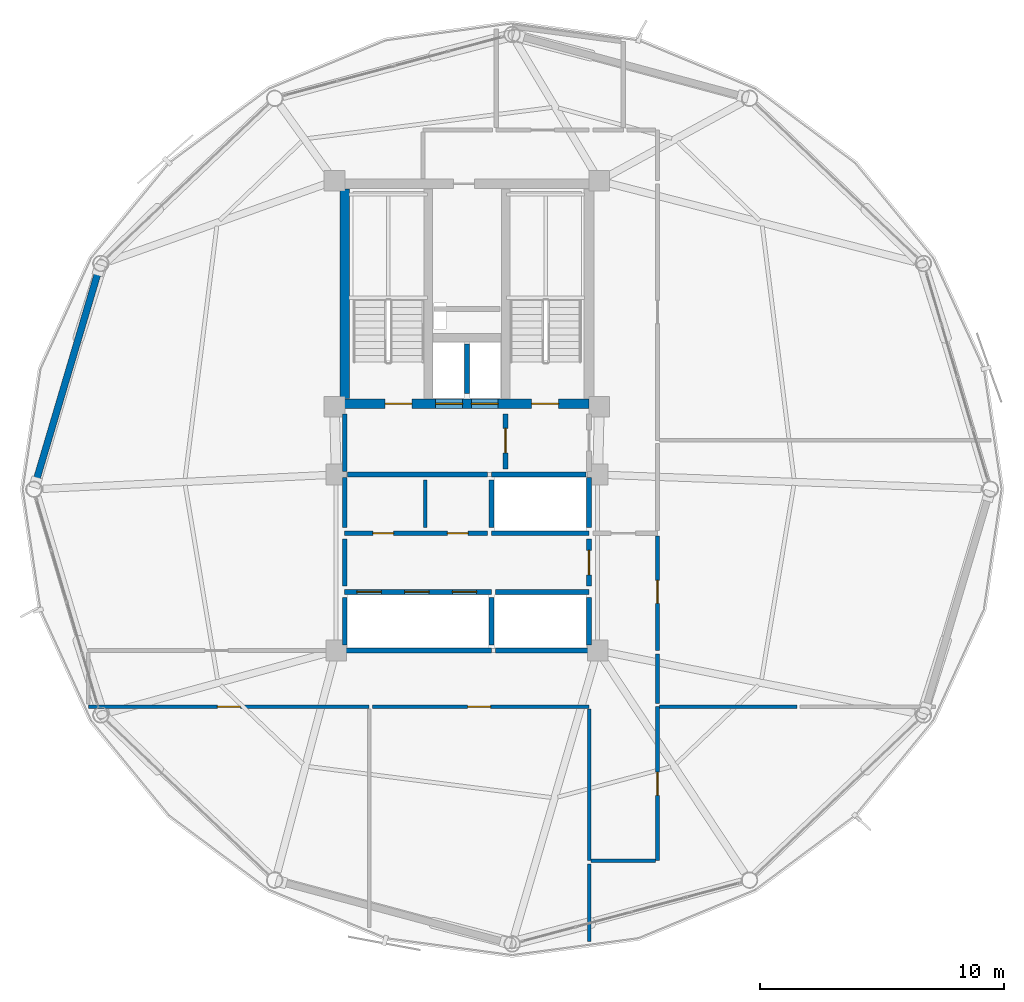
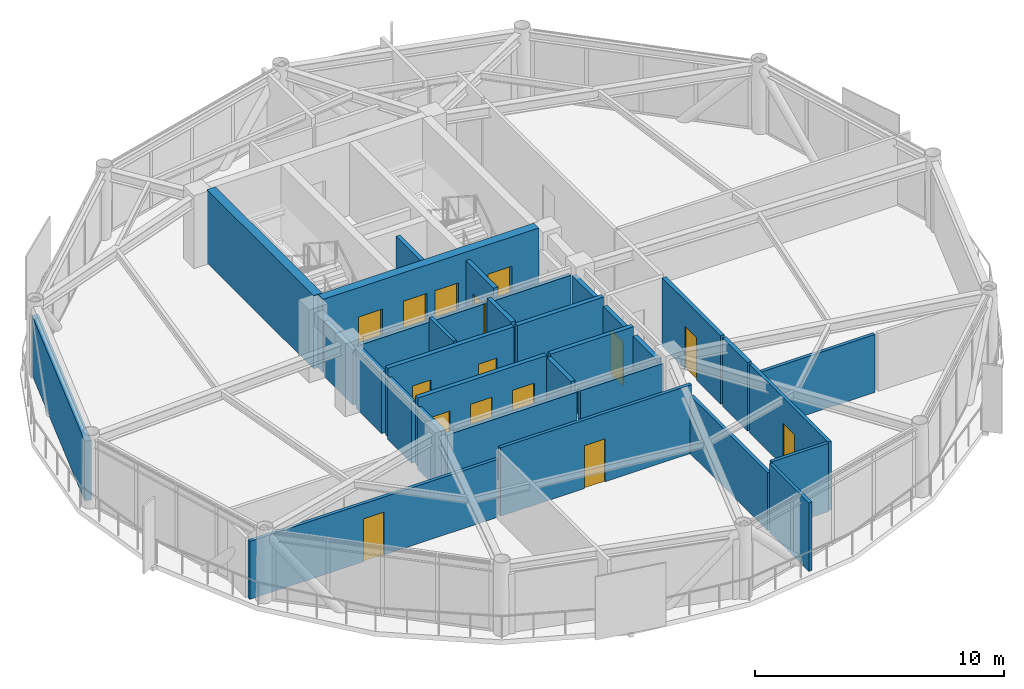
# One storey, part 24 of 29: 32 walls, 15 doors, 15 openings.
"""IFC4 building model written with IfcOpenShell, lengths in metres."""

from ifc_helpers import new_model, si_unit, direction, frame, frame_2d, origin, place, context, subcontext, project, spatial, rectangle, extrude, material, layer, layer_set, type_object, element, fill, save


model = new_model("IFC4")

# Units and contexts
model_context = context("Model", 3, precision=1e-05, world=origin(), true_north=direction((0.0, 1.0)))
body_context = subcontext(model_context, "Body", "Model", "MODEL_VIEW")
ifc_project = project(units=[si_unit("LENGTHUNIT", "METRE"), si_unit("AREAUNIT", "SQUARE_METRE"), si_unit("VOLUMEUNIT", "CUBIC_METRE"), si_unit("PLANEANGLEUNIT", "RADIAN"), si_unit("MASSUNIT", "GRAM", prefix="KILO")], contexts=[model_context])

# Site, building, storey
site_placement = place(None, origin())
site = spatial("IfcSite", under=ifc_project, at=site_placement, CompositionType="ELEMENT")
building_placement = place(site_placement, origin())
building = spatial("IfcBuilding", under=site, at=building_placement, Name="Varnakorn Sky Granary", CompositionType="ELEMENT")
storey_placement = place(building_placement, frame((0.0, 0.0, 189.60009765625)))
storey = spatial("IfcBuildingStorey", under=building, at=storey_placement, Name="L47", CompositionType="ELEMENT", Elevation=189.60009765625)

# Wall, openings, doors
ifc_material_1 = material(Name="Concrete C50/60", Category="concrete")
ifc_layer_1 = layer(ifc_material_1, 0.39990234375, Name="Concrete C50/60")
ifc_layer_set_1 = layer_set([ifc_layer_1], Name="Concrete C50/60")
wall_type_1 = type_object("IfcWallType", Name="WT-CW-SHEAR-400", PredefinedType="SHEAR", material=ifc_layer_set_1)
wall_1_placement = place(storey_placement, frame((-2.0, 3.5, 0.0), z_axis=(0.0, 0.0, 1.0), x_axis=(1.0, 0.0, 0.0)))
wall_1 = element("IfcWall", 1, at=wall_1_placement, inside=storey, type_object=wall_type_1, Name="Core South Shear Wall L47", PredefinedType="SHEAR", context=body_context, shape_type="SweptSolid", body=[
    extrude(rectangle(XDim=10.0, YDim=0.39990234375, at=frame_2d((5.0, 0.0))), origin(), (0.0, 0.0, 1.0), 3.591796875),
])
opening_1_placement = place(wall_1_placement, frame((1.64990234375, 0.0, 0.0)))
opening_1 = element("IfcOpeningElement", 2, at=opening_1_placement, cuts=wall_1, Name="Opening FD-90", PredefinedType="OPENING", context=body_context, shape_type="SweptSolid", body=[
    extrude(rectangle(XDim=1.10009765625, YDim=2.14990234375, at=frame_2d((0.550048828125, 1.074951171875))), frame((0.0, 0.2099609375, 0.0), z_axis=(0.0, -1.0, 0.0), x_axis=(1.0, 0.0, 0.0)), (0.0, 0.0, 1.0), 0.419921875),
])
opening_2_placement = place(wall_1_placement, frame((7.64990234375, 0.0, 0.0)))
opening_2 = element("IfcOpeningElement", 3, at=opening_2_placement, cuts=wall_1, Name="Opening FD-90", PredefinedType="OPENING", context=body_context, shape_type="SweptSolid", body=[
    extrude(rectangle(XDim=1.10009765625, YDim=2.14990234375, at=frame_2d((0.550048828125, 1.074951171875))), frame((0.0, 0.2099609375, 0.0), z_axis=(0.0, -1.0, 0.0), x_axis=(1.0, 0.0, 0.0)), (0.0, 0.0, 1.0), 0.419921875),
])
opening_3_placement = place(wall_1_placement, frame((3.719970703125, 0.0, 0.0)))
opening_3 = element("IfcOpeningElement", 4, at=opening_3_placement, cuts=wall_1, Name="Opening LD-01", PredefinedType="OPENING", context=body_context, shape_type="SweptSolid", body=[
    extrude(rectangle(XDim=1.10009765625, YDim=2.199951171875, at=frame_2d((0.550048828125, 1.10009765625))), frame((0.0, 0.2099609375, 0.0), z_axis=(0.0, -1.0, 0.0), x_axis=(1.0, 0.0, 0.0)), (0.0, 0.0, 1.0), 0.419921875),
])
opening_4_placement = place(wall_1_placement, frame((5.179931640625, 0.0, 0.0)))
opening_4 = element("IfcOpeningElement", 5, at=opening_4_placement, cuts=wall_1, Name="Opening LD-01", PredefinedType="OPENING", context=body_context, shape_type="SweptSolid", body=[
    extrude(rectangle(XDim=1.10009765625, YDim=2.199951171875, at=frame_2d((0.550048828125, 1.10009765625))), frame((0.0, 0.2099609375, 0.0), z_axis=(0.0, -1.0, 0.0), x_axis=(1.0, 0.0, 0.0)), (0.0, 0.0, 1.0), 0.419921875),
])
ifc_material_2 = material(Name="Brushed Bronze Stainless Steel", Category="steel")
door_type_1 = type_object("IfcDoorType", Name="DR-LD-1100", OperationType="DOUBLE_DOOR_SLIDING", PredefinedType="DOOR", material=ifc_material_2)
door_1_placement = place(opening_3_placement, origin())
door_1 = element("IfcDoor", 6, at=door_1_placement, inside=storey, type_object=door_type_1, Name="Firefighting Lift FFL-1 Landing Door L47", OperationType="DOUBLE_DOOR_SLIDING", OverallHeight=2.199951171875, OverallWidth=1.10009765625, PredefinedType="DOOR", context=body_context, shape_type="SweptSolid", body=[
    extrude(rectangle(XDim=1.10009765625, YDim=2.199951171875, at=frame_2d((0.550048828125, 1.10009765625))), frame((0.0, 0.02490234375, 0.0), z_axis=(0.0, -1.0, 0.0), x_axis=(1.0, 0.0, 0.0)), (0.0, 0.0, 1.0), 0.050048828125),
])
fill(opening_3, door_1)
door_2_placement = place(opening_4_placement, origin())
door_2 = element("IfcDoor", 7, at=door_2_placement, inside=storey, type_object=door_type_1, Name="Firefighting Lift FFL-2 Landing Door L47", OperationType="DOUBLE_DOOR_SLIDING", OverallHeight=2.199951171875, OverallWidth=1.10009765625, PredefinedType="DOOR", context=body_context, shape_type="SweptSolid", body=[
    extrude(rectangle(XDim=1.10009765625, YDim=2.199951171875, at=frame_2d((0.550048828125, 1.10009765625))), frame((0.0, 0.02490234375, 0.0), z_axis=(0.0, -1.0, 0.0), x_axis=(1.0, 0.0, 0.0)), (0.0, 0.0, 1.0), 0.050048828125),
])
fill(opening_4, door_2)
ifc_material_3 = material(Name="Galvanised Painted Steel Leaf", Category="steel")
door_type_2 = type_object("IfcDoorType", Name="DR-STAIR-1100", OperationType="NOTDEFINED", PredefinedType="DOOR", material=ifc_material_3)
door_3_placement = place(opening_1_placement, origin())
door_3 = element("IfcDoor", 8, at=door_3_placement, inside=storey, type_object=door_type_2, Name="Stair ST-1 Protected Fire Door L47", OperationType="SINGLE_SWING_LEFT", OverallHeight=2.14990234375, OverallWidth=1.10009765625, PredefinedType="DOOR", context=body_context, shape_type="SweptSolid", body=[
    extrude(rectangle(XDim=1.10009765625, YDim=2.14990234375, at=frame_2d((0.550048828125, 1.074951171875))), frame((0.0, 0.02490234375, 0.0), z_axis=(0.0, -1.0, 0.0), x_axis=(1.0, 0.0, 0.0)), (0.0, 0.0, 1.0), 0.050048828125),
])
fill(opening_1, door_3)
door_4_placement = place(opening_2_placement, origin())
door_4 = element("IfcDoor", 9, at=door_4_placement, inside=storey, type_object=door_type_2, Name="Stair ST-2 Protected Fire Door L47", OperationType="SINGLE_SWING_RIGHT", OverallHeight=2.14990234375, OverallWidth=1.10009765625, PredefinedType="DOOR", context=body_context, shape_type="SweptSolid", body=[
    extrude(rectangle(XDim=1.10009765625, YDim=2.14990234375, at=frame_2d((0.550048828125, 1.074951171875))), frame((0.0, 0.02490234375, 0.0), z_axis=(0.0, -1.0, 0.0), x_axis=(1.0, 0.0, 0.0)), (0.0, 0.0, 1.0), 0.050048828125),
])
fill(opening_2, door_4)

# Walls
wall_2_placement = place(storey_placement, frame((-2.0, 3.7099609375, 0.0), z_axis=(0.0, 0.0, 1.0), x_axis=(0.0, 1.0, 0.0)))
element("IfcWall", 10, at=wall_2_placement, inside=storey, type_object=wall_type_1, Name="Core West Shear Wall L47", PredefinedType="SHEAR", context=body_context, shape_type="SweptSolid", body=[
    extrude(rectangle(XDim=8.580078125, YDim=0.39990234375, at=frame_2d((4.2900390625, 0.0))), origin(), (0.0, 0.0, 1.0), 3.591796875),
])
ifc_material_4 = material(Name="Precast concrete C40/50", Category="concrete")
ifc_layer_2 = layer(ifc_material_4, 0.280029296875, Name="Precast concrete C40/50")
ifc_layer_set_2 = layer_set([ifc_layer_2], Name="Precast concrete C40/50")
wall_type_2 = type_object("IfcWallType", Name="WT-EW-CRN-280", PredefinedType="SOLIDWALL", material=ifc_layer_set_2)
wall_3_placement = place(storey_placement, frame((-14.64794921875, 0.273193359375, 0.0), z_axis=(0.0, 0.0, 1.0), x_axis=(0.2842909157, 0.958738063942, 0.0)))
element("IfcWall", 11, at=wall_3_placement, inside=storey, type_object=wall_type_2, Name="Agritech Insulated Precast Facade Wall L47-P06", PredefinedType="SOLIDWALL", context=body_context, shape_type="SweptSolid", body=[
    extrude(rectangle(XDim=9.06787109375, YDim=0.280029296875, at=frame_2d((4.533935546875, 0.0))), origin(), (0.0, 0.0, 1.0), 2.929931640625),
])

# Wall, opening, door
ifc_material_5 = material(Name="Autoclaved Aerated Concrete Blockwork", Category="masonry")
ifc_layer_3 = layer(ifc_material_5, 0.199951171875, Name="Autoclaved Aerated Concrete Blockwork")
ifc_layer_set_3 = layer_set([ifc_layer_3], Name="Autoclaved Aerated Concrete Blockwork")
wall_type_3 = type_object("IfcWallType", Name="WT-FIRE-200", PredefinedType="MOVABLE", material=ifc_layer_set_3)
wall_4_placement = place(storey_placement, frame((4.580078125, 0.830078125, 0.0), z_axis=(0.0, 0.0, 1.0), x_axis=(0.0, 1.0, 0.0)))
wall_4 = element("IfcWall", 12, at=wall_4_placement, inside=storey, type_object=wall_type_3, Name="Interior Partition Wall L47-014", PredefinedType="MOVABLE", context=body_context, shape_type="SweptSolid", body=[
    extrude(rectangle(XDim=2.239990234375, YDim=0.199951171875, at=frame_2d((1.1201171875, 0.0))), origin(), (0.0, 0.0, 1.0), 3.35986328125),
])
opening_5_placement = place(wall_4_placement, frame((0.659912109375, 0.0, 0.0)))
opening_5 = element("IfcOpeningElement", 13, at=opening_5_placement, cuts=wall_4, Name="Opening FD-60", PredefinedType="OPENING", context=body_context, shape_type="SweptSolid", body=[
    extrude(rectangle(XDim=1.0, YDim=2.10009765625, at=frame_2d((0.5, 1.050048828125))), frame((0.0, 0.10986328125, 0.0), z_axis=(0.0, -1.0, 0.0), x_axis=(1.0, 0.0, 0.0)), (0.0, 0.0, 1.0), 0.219970703125),
])
ifc_material_6 = material(Name="Acoustic Timber Fire Leaf", Category="wood")
door_type_3 = type_object("IfcDoorType", Name="DR-FD60-1000", OperationType="NOTDEFINED", PredefinedType="DOOR", material=ifc_material_6)
door_5_placement = place(opening_5_placement, origin())
door_5 = element("IfcDoor", 14, at=door_5_placement, inside=storey, type_object=door_type_3, Name="Interior Door L47-014-1", OperationType="SINGLE_SWING_RIGHT", OverallHeight=2.10009765625, OverallWidth=1.0, PredefinedType="DOOR", context=body_context, shape_type="SweptSolid", body=[
    extrude(rectangle(XDim=1.0, YDim=2.10009765625, at=frame_2d((0.5, 1.050048828125))), frame((0.0, 0.02490234375, 0.0), z_axis=(0.0, -1.0, 0.0), x_axis=(1.0, 0.0, 0.0)), (0.0, 0.0, 1.0), 0.050048828125),
])
fill(opening_5, door_5)

wall_5_placement = place(storey_placement, frame((8.0, -3.969970703125, 0.0), z_axis=(0.0, 0.0, 1.0), x_axis=(0.0, 1.0, 0.0)))
wall_5 = element("IfcWall", 15, at=wall_5_placement, inside=storey, type_object=wall_type_3, Name="Interior Partition Wall L47-016", PredefinedType="MOVABLE", context=body_context, shape_type="SweptSolid", body=[
    extrude(rectangle(XDim=1.93994140625, YDim=0.199951171875, at=frame_2d((0.969970703125, 0.0))), origin(), (0.0, 0.0, 1.0), 3.011962890625),
])
opening_6_placement = place(wall_5_placement, frame((0.469970703125, 0.0, 0.0)))
opening_6 = element("IfcOpeningElement", 16, at=opening_6_placement, cuts=wall_5, Name="Opening FD-60", PredefinedType="OPENING", context=body_context, shape_type="SweptSolid", body=[
    extrude(rectangle(XDim=1.0, YDim=2.10009765625, at=frame_2d((0.5, 1.050048828125))), frame((0.0, 0.10986328125, 0.0), z_axis=(0.0, -1.0, 0.0), x_axis=(1.0, 0.0, 0.0)), (0.0, 0.0, 1.0), 0.219970703125),
])
door_6_placement = place(opening_6_placement, origin())
door_6 = element("IfcDoor", 17, at=door_6_placement, inside=storey, type_object=door_type_3, Name="Interior Door L47-016-1", OperationType="SINGLE_SWING_RIGHT", OverallHeight=2.10009765625, OverallWidth=1.0, PredefinedType="DOOR", context=body_context, shape_type="SweptSolid", body=[
    extrude(rectangle(XDim=1.0, YDim=2.10009765625, at=frame_2d((0.5, 1.050048828125))), frame((0.0, 0.02490234375, 0.0), z_axis=(0.0, -1.0, 0.0), x_axis=(1.0, 0.0, 0.0)), (0.0, 0.0, 1.0), 0.050048828125),
])
fill(opening_6, door_6)

# Wall, openings, doors
wall_6_placement = place(storey_placement, frame((-2.0, -1.800048828125, 0.0), z_axis=(0.0, 0.0, 1.0), x_axis=(1.0, 0.0, 0.0)))
wall_6 = element("IfcWall", 18, at=wall_6_placement, inside=storey, type_object=wall_type_3, Name="Interior Partition Wall L47-017", PredefinedType="MOVABLE", context=body_context, shape_type="SweptSolid", body=[
    extrude(rectangle(XDim=5.840087890625, YDim=0.199951171875, at=frame_2d((2.919921875, 0.0))), origin(), (0.0, 0.0, 1.0), 3.35986328125),
])
opening_7_placement = place(wall_6_placement, frame((1.14990234375, 0.0, 0.0)))
opening_7 = element("IfcOpeningElement", 19, at=opening_7_placement, cuts=wall_6, Name="Opening FD-60N", PredefinedType="OPENING", context=body_context, shape_type="SweptSolid", body=[
    extrude(rectangle(XDim=0.85009765625, YDim=2.10009765625, at=frame_2d((0.425048828125, 1.050048828125))), frame((0.0, 0.10986328125, 0.0), z_axis=(0.0, -1.0, 0.0), x_axis=(1.0, 0.0, 0.0)), (0.0, 0.0, 1.0), 0.219970703125),
])
opening_8_placement = place(wall_6_placement, frame((4.199951171875, 0.0, 0.0)))
opening_8 = element("IfcOpeningElement", 20, at=opening_8_placement, cuts=wall_6, Name="Opening FD-60N", PredefinedType="OPENING", context=body_context, shape_type="SweptSolid", body=[
    extrude(rectangle(XDim=0.85009765625, YDim=2.10009765625, at=frame_2d((0.425048828125, 1.050048828125))), frame((0.0, 0.10986328125, 0.0), z_axis=(0.0, -1.0, 0.0), x_axis=(1.0, 0.0, 0.0)), (0.0, 0.0, 1.0), 0.219970703125),
])
door_type_4 = type_object("IfcDoorType", Name="DR-FD60-850", OperationType="NOTDEFINED", PredefinedType="DOOR", material=ifc_material_6)
door_7_placement = place(opening_7_placement, origin())
door_7 = element("IfcDoor", 21, at=door_7_placement, inside=storey, type_object=door_type_4, Name="Interior Door L47-017-1", OperationType="SINGLE_SWING_LEFT", OverallHeight=2.10009765625, OverallWidth=0.85009765625, PredefinedType="DOOR", context=body_context, shape_type="SweptSolid", body=[
    extrude(rectangle(XDim=0.85009765625, YDim=2.10009765625, at=frame_2d((0.425048828125, 1.050048828125))), frame((0.0, 0.02490234375, 0.0), z_axis=(0.0, -1.0, 0.0), x_axis=(1.0, 0.0, 0.0)), (0.0, 0.0, 1.0), 0.050048828125),
])
fill(opening_7, door_7)
door_8_placement = place(opening_8_placement, origin())
door_8 = element("IfcDoor", 22, at=door_8_placement, inside=storey, type_object=door_type_4, Name="Interior Door L47-017-2", OperationType="SINGLE_SWING_RIGHT", OverallHeight=2.10009765625, OverallWidth=0.85009765625, PredefinedType="DOOR", context=body_context, shape_type="SweptSolid", body=[
    extrude(rectangle(XDim=0.85009765625, YDim=2.10009765625, at=frame_2d((0.425048828125, 1.050048828125))), frame((0.0, 0.02490234375, 0.0), z_axis=(0.0, -1.0, 0.0), x_axis=(1.0, 0.0, 0.0)), (0.0, 0.0, 1.0), 0.050048828125),
])
fill(opening_8, door_8)

# Walls
wall_7_placement = place(storey_placement, frame((-1.8798828125, 0.60009765625, 0.0), z_axis=(0.0, 0.0, 1.0), x_axis=(1.0, 0.0, 0.0)))
element("IfcWall", 23, at=wall_7_placement, inside=storey, type_object=wall_type_3, Name="Interior Partition Wall L47-026", PredefinedType="MOVABLE", context=body_context, shape_type="SweptSolid", body=[
    extrude(rectangle(XDim=5.719970703125, YDim=0.199951171875, at=frame_2d((2.85986328125, 0.0))), origin(), (0.0, 0.0, 1.0), 3.011962890625),
])
wall_8_placement = place(storey_placement, frame((-2.0, 0.719970703125, 0.0), z_axis=(0.0, 0.0, 1.0), x_axis=(0.0, 1.0, 0.0)))
element("IfcWall", 24, at=wall_8_placement, inside=storey, type_object=wall_type_3, Name="Interior Partition Wall L47-027", PredefinedType="MOVABLE", context=body_context, shape_type="SweptSolid", body=[
    extrude(rectangle(XDim=2.35009765625, YDim=0.199951171875, at=frame_2d((1.175048828125, 0.0))), origin(), (0.0, 0.0, 1.0), 2.69189453125),
])
wall_9_placement = place(storey_placement, frame((-2.0, -3.969970703125, 0.0), z_axis=(0.0, 0.0, 1.0), x_axis=(0.0, 1.0, 0.0)))
element("IfcWall", 25, at=wall_9_placement, inside=storey, type_object=wall_type_3, Name="Interior Partition Wall L47-028", PredefinedType="MOVABLE", context=body_context, shape_type="SweptSolid", body=[
    extrude(rectangle(XDim=1.93994140625, YDim=0.199951171875, at=frame_2d((0.969970703125, 0.0))), origin(), (0.0, 0.0, 1.0), 3.011962890625),
])
wall_10_placement = place(storey_placement, frame((-2.0, -1.570068359375, 0.0), z_axis=(0.0, 0.0, 1.0), x_axis=(0.0, 1.0, 0.0)))
element("IfcWall", 26, at=wall_10_placement, inside=storey, type_object=wall_type_3, Name="Interior Partition Wall L47-030", PredefinedType="MOVABLE", context=body_context, shape_type="SweptSolid", body=[
    extrude(rectangle(XDim=2.050048828125, YDim=0.199951171875, at=frame_2d((1.02490234375, 0.0))), origin(), (0.0, 0.0, 1.0), 3.011962890625),
])

# Wall, opening, door
ifc_material_7 = material(Name="Gypsum Plasterboard on Steel Stud", Category="steel")
ifc_layer_4 = layer(ifc_material_7, 0.14990234375, Name="Gypsum Plasterboard on Steel Stud")
ifc_layer_set_4 = layer_set([ifc_layer_4], Name="Gypsum Plasterboard on Steel Stud")
wall_type_4 = type_object("IfcWallType", Name="WT-PART-150", PredefinedType="PARTITIONING", material=ifc_layer_set_4)
wall_11_placement = place(storey_placement, frame((-12.48388671875, -8.89990234375, 0.0), z_axis=(0.0, 0.0, 1.0), x_axis=(1.0, 0.0, 0.0)))
wall_11 = element("IfcWall", 27, at=wall_11_placement, inside=storey, type_object=wall_type_4, Name="Interior Partition Wall L47-020", PredefinedType="PARTITIONING", context=body_context, shape_type="SweptSolid", body=[
    extrude(rectangle(XDim=11.48388671875, YDim=0.14990234375, at=frame_2d((5.741943359375, 0.0))), origin(), (0.0, 0.0, 1.0), 2.841796875),
])
opening_9_placement = place(wall_11_placement, frame((5.26708984375, 0.0, 0.0)))
opening_9 = element("IfcOpeningElement", 28, at=opening_9_placement, cuts=wall_11, Name="Opening ID-95", PredefinedType="OPENING", context=body_context, shape_type="SweptSolid", body=[
    extrude(rectangle(XDim=0.949951171875, YDim=2.10009765625, at=frame_2d((0.47509765625, 1.050048828125))), frame((0.0, 0.0849609375, 0.0), z_axis=(0.0, -1.0, 0.0), x_axis=(1.0, 0.0, 0.0)), (0.0, 0.0, 1.0), 0.169921875),
])
ifc_material_8 = material(Name="Solid-Core Teak Veneer Leaf", Category="timber")
door_type_5 = type_object("IfcDoorType", Name="DR-INT-950", OperationType="NOTDEFINED", PredefinedType="DOOR", material=ifc_material_8)
door_9_placement = place(opening_9_placement, origin())
door_9 = element("IfcDoor", 29, at=door_9_placement, inside=storey, type_object=door_type_5, Name="Interior Door L47-020-1", OperationType="SINGLE_SWING_LEFT", OverallHeight=2.10009765625, OverallWidth=0.949951171875, PredefinedType="DOOR", context=body_context, shape_type="SweptSolid", body=[
    extrude(rectangle(XDim=0.949951171875, YDim=2.10009765625, at=frame_2d((0.47509765625, 1.050048828125))), frame((0.0, 0.02490234375, 0.0), z_axis=(0.0, -1.0, 0.0), x_axis=(1.0, 0.0, 0.0)), (0.0, 0.0, 1.0), 0.050048828125),
])
fill(opening_9, door_9)

wall_12_placement = place(storey_placement, frame((-0.864990234375, -8.89990234375, 0.0), z_axis=(0.0, 0.0, 1.0), x_axis=(1.0, 0.0, 0.0)))
wall_12 = element("IfcWall", 30, at=wall_12_placement, inside=storey, type_object=wall_type_4, Name="Interior Partition Wall L47-021", PredefinedType="PARTITIONING", context=body_context, shape_type="SweptSolid", body=[
    extrude(rectangle(XDim=8.864990234375, YDim=0.14990234375, at=frame_2d((4.4326171875, 0.0))), origin(), (0.0, 0.0, 1.0), 3.35986328125),
])
opening_10_placement = place(wall_12_placement, frame((3.889892578125, 0.0, 0.0)))
opening_10 = element("IfcOpeningElement", 31, at=opening_10_placement, cuts=wall_12, Name="Opening ID-95", PredefinedType="OPENING", context=body_context, shape_type="SweptSolid", body=[
    extrude(rectangle(XDim=0.949951171875, YDim=2.10009765625, at=frame_2d((0.47509765625, 1.050048828125))), frame((0.0, 0.0849609375, 0.0), z_axis=(0.0, -1.0, 0.0), x_axis=(1.0, 0.0, 0.0)), (0.0, 0.0, 1.0), 0.169921875),
])
door_10_placement = place(opening_10_placement, origin())
door_10 = element("IfcDoor", 32, at=door_10_placement, inside=storey, type_object=door_type_5, Name="Interior Door L47-021-1", OperationType="SINGLE_SWING_RIGHT", OverallHeight=2.10009765625, OverallWidth=0.949951171875, PredefinedType="DOOR", context=body_context, shape_type="SweptSolid", body=[
    extrude(rectangle(XDim=0.949951171875, YDim=2.10009765625, at=frame_2d((0.47509765625, 1.050048828125))), frame((0.0, 0.02490234375, 0.0), z_axis=(0.0, -1.0, 0.0), x_axis=(1.0, 0.0, 0.0)), (0.0, 0.0, 1.0), 0.050048828125),
])
fill(opening_10, door_10)

wall_13_placement = place(storey_placement, frame((10.800048828125, -15.199951171875, 0.0), z_axis=(0.0, 0.0, 1.0), x_axis=(0.0, 1.0, 0.0)))
wall_13 = element("IfcWall", 33, at=wall_13_placement, inside=storey, type_object=wall_type_4, Name="Interior Partition Wall L47-022", PredefinedType="PARTITIONING", context=body_context, shape_type="SweptSolid", body=[
    extrude(rectangle(XDim=6.300048828125, YDim=0.14990234375, at=frame_2d((3.14990234375, 0.0))), origin(), (0.0, 0.0, 1.0), 3.35986328125),
])
opening_11_placement = place(wall_13_placement, frame((2.675048828125, 0.0, 0.0)))
opening_11 = element("IfcOpeningElement", 34, at=opening_11_placement, cuts=wall_13, Name="Opening ID-95", PredefinedType="OPENING", context=body_context, shape_type="SweptSolid", body=[
    extrude(rectangle(XDim=0.949951171875, YDim=2.10009765625, at=frame_2d((0.47509765625, 1.050048828125))), frame((0.0, 0.0849609375, 0.0), z_axis=(0.0, -1.0, 0.0), x_axis=(1.0, 0.0, 0.0)), (0.0, 0.0, 1.0), 0.169921875),
])
door_11_placement = place(opening_11_placement, origin())
door_11 = element("IfcDoor", 35, at=door_11_placement, inside=storey, type_object=door_type_5, Name="Interior Door L47-022-1", OperationType="SINGLE_SWING_LEFT", OverallHeight=2.10009765625, OverallWidth=0.949951171875, PredefinedType="DOOR", context=body_context, shape_type="SweptSolid", body=[
    extrude(rectangle(XDim=0.949951171875, YDim=2.10009765625, at=frame_2d((0.47509765625, 1.050048828125))), frame((0.0, 0.02490234375, 0.0), z_axis=(0.0, -1.0, 0.0), x_axis=(1.0, 0.0, 0.0)), (0.0, 0.0, 1.0), 0.050048828125),
])
fill(opening_11, door_11)

# Walls
wall_14_placement = place(storey_placement, frame((1.300048828125, -1.570068359375, 0.0), z_axis=(0.0, 0.0, 1.0), x_axis=(0.0, 1.0, 0.0)))
element("IfcWall", 36, at=wall_14_placement, inside=storey, type_object=wall_type_4, Name="Interior Partition Wall L47-029", PredefinedType="PARTITIONING", context=body_context, shape_type="SweptSolid", body=[
    extrude(rectangle(XDim=1.940185546875, YDim=0.14990234375, at=frame_2d((0.97021484375, 0.0))), origin(), (0.0, 0.0, 1.0), 3.35986328125),
])
wall_15_placement = place(storey_placement, frame((8.0, -8.985107421875, 0.0), z_axis=(0.0, 0.0, 1.0), x_axis=(0.0, -1.0, 0.0)))
element("IfcWall", 37, at=wall_15_placement, inside=storey, type_object=wall_type_4, Name="Interior Partition Wall L47-033", PredefinedType="PARTITIONING", context=body_context, shape_type="SweptSolid", body=[
    extrude(rectangle(XDim=6.21484375, YDim=0.14990234375, at=frame_2d((3.107421875, 0.0))), origin(), (0.0, 0.0, 1.0), 2.841796875),
])
wall_16_placement = place(storey_placement, frame((8.0, -15.3349609375, 0.0), z_axis=(0.0, 0.0, 1.0), x_axis=(0.0, -1.0, 0.0)))
element("IfcWall", 38, at=wall_16_placement, inside=storey, type_object=wall_type_4, Name="Interior Partition Wall L47-034", PredefinedType="PARTITIONING", context=body_context, shape_type="SweptSolid", body=[
    extrude(rectangle(XDim=3.16796875, YDim=0.14990234375, at=frame_2d((1.583984375, 0.0))), origin(), (0.0, 0.0, 1.0), 3.35986328125),
])
wall_17_placement = place(storey_placement, frame((8.0849609375, -15.199951171875, 0.0), z_axis=(0.0, 0.0, 1.0), x_axis=(1.0, 0.0, 0.0)))
element("IfcWall", 39, at=wall_17_placement, inside=storey, type_object=wall_type_4, Name="Interior Partition Wall L47-035", PredefinedType="PARTITIONING", context=body_context, shape_type="SweptSolid", body=[
    extrude(rectangle(XDim=2.630126953125, YDim=0.14990234375, at=frame_2d((1.31494140625, 0.0))), origin(), (0.0, 0.0, 1.0), 3.35986328125),
])
wall_18_placement = place(storey_placement, frame((10.885009765625, -8.89990234375, 0.0), z_axis=(0.0, 0.0, 1.0), x_axis=(1.0, 0.0, 0.0)))
element("IfcWall", 40, at=wall_18_placement, inside=storey, type_object=wall_type_4, Name="Interior Partition Wall L47-036", PredefinedType="PARTITIONING", context=body_context, shape_type="SweptSolid", body=[
    extrude(rectangle(XDim=5.614990234375, YDim=0.14990234375, at=frame_2d((2.8076171875, 0.0))), origin(), (0.0, 0.0, 1.0), 2.841796875),
])

# Wall, opening, door
ifc_material_9 = material(Name="Moisture-Resistant Gypsum on Stud", Category="gypsum")
ifc_layer_5 = layer(ifc_material_9, 0.179931640625, Name="Moisture-Resistant Gypsum on Stud")
ifc_layer_set_5 = layer_set([ifc_layer_5], Name="Moisture-Resistant Gypsum on Stud")
wall_type_5 = type_object("IfcWallType", Name="WT-PLUMB-180", PredefinedType="PLUMBINGWALL", material=ifc_layer_set_5)
wall_19_placement = place(storey_placement, frame((10.800048828125, -6.60009765625, 0.0), z_axis=(0.0, 0.0, 1.0), x_axis=(0.0, 1.0, 0.0)))
wall_19 = element("IfcWall", 41, at=wall_19_placement, inside=storey, type_object=wall_type_5, Name="Interior Partition Wall L47-024", PredefinedType="PLUMBINGWALL", context=body_context, shape_type="SweptSolid", body=[
    extrude(rectangle(XDim=4.690185546875, YDim=0.179931640625, at=frame_2d((2.34521484375, 0.0))), origin(), (0.0, 0.0, 1.0), 3.35986328125),
])
opening_12_placement = place(wall_19_placement, frame((1.925048828125, 0.0, 0.0)))
opening_12 = element("IfcOpeningElement", 42, at=opening_12_placement, cuts=wall_19, Name="Opening ID-95", PredefinedType="OPENING", context=body_context, shape_type="SweptSolid", body=[
    extrude(rectangle(XDim=0.949951171875, YDim=2.10009765625, at=frame_2d((0.47509765625, 1.050048828125))), frame((0.0, 0.10009765625, 0.0), z_axis=(0.0, -1.0, 0.0), x_axis=(1.0, 0.0, 0.0)), (0.0, 0.0, 1.0), 0.199951171875),
])
door_12_placement = place(opening_12_placement, origin())
door_12 = element("IfcDoor", 43, at=door_12_placement, inside=storey, type_object=door_type_5, Name="Interior Door L47-024-1", OperationType="SINGLE_SWING_LEFT", OverallHeight=2.10009765625, OverallWidth=0.949951171875, PredefinedType="DOOR", context=body_context, shape_type="SweptSolid", body=[
    extrude(rectangle(XDim=0.949951171875, YDim=2.10009765625, at=frame_2d((0.47509765625, 1.050048828125))), frame((0.0, 0.02490234375, 0.0), z_axis=(0.0, -1.0, 0.0), x_axis=(1.0, 0.0, 0.0)), (0.0, 0.0, 1.0), 0.050048828125),
])
fill(opening_12, door_12)

# Walls
wall_20_placement = place(storey_placement, frame((10.800048828125, -8.764892578125, 0.0), z_axis=(0.0, 0.0, 1.0), x_axis=(0.0, 1.0, 0.0)))
element("IfcWall", 44, at=wall_20_placement, inside=storey, type_object=wall_type_5, Name="Interior Partition Wall L47-042", PredefinedType="PLUMBINGWALL", context=body_context, shape_type="SweptSolid", body=[
    extrude(rectangle(XDim=2.014892578125, YDim=0.179931640625, at=frame_2d((1.00732421875, 0.0))), origin(), (0.0, 0.0, 1.0), 3.35986328125),
])
ifc_layer_6 = layer(ifc_material_5, 0.199951171875, Name="Autoclaved Aerated Concrete Blockwork")
ifc_layer_set_6 = layer_set([ifc_layer_6], Name="Autoclaved Aerated Concrete Blockwork")
wall_type_6 = type_object("IfcWallType", Name="WT-SHAFT-200", PredefinedType="SOLIDWALL", material=ifc_layer_set_6)
wall_21_placement = place(storey_placement, frame((3.0, 3.919921875, 0.0), z_axis=(0.0, 0.0, 1.0), x_axis=(0.0, 1.0, 0.0)))
element("IfcWall", 45, at=wall_21_placement, inside=storey, type_object=wall_type_6, Name="Interior Partition Wall L47-001", PredefinedType="SOLIDWALL", context=body_context, shape_type="SweptSolid", body=[
    extrude(rectangle(XDim=2.030029296875, YDim=0.199951171875, at=frame_2d((1.01513671875, 0.0))), origin(), (0.0, 0.0, 1.0), 3.35986328125),
])
wall_22_placement = place(storey_placement, frame((4.0, 0.60009765625, 0.0), z_axis=(0.0, 0.0, 1.0), x_axis=(1.0, 0.0, 0.0)))
element("IfcWall", 46, at=wall_22_placement, inside=storey, type_object=wall_type_6, Name="Interior Partition Wall L47-003", PredefinedType="SOLIDWALL", context=body_context, shape_type="SweptSolid", body=[
    extrude(rectangle(XDim=3.8798828125, YDim=0.199951171875, at=frame_2d((1.93994140625, 0.0))), origin(), (0.0, 0.0, 1.0), 3.011962890625),
])
wall_23_placement = place(storey_placement, frame((4.0, -1.800048828125, 0.0), z_axis=(0.0, 0.0, 1.0), x_axis=(1.0, 0.0, 0.0)))
element("IfcWall", 47, at=wall_23_placement, inside=storey, type_object=wall_type_6, Name="Interior Partition Wall L47-004", PredefinedType="SOLIDWALL", context=body_context, shape_type="SweptSolid", body=[
    extrude(rectangle(XDim=4.0, YDim=0.199951171875, at=frame_2d((2.0, 0.0))), origin(), (0.0, 0.0, 1.0), 3.35986328125),
])
wall_24_placement = place(storey_placement, frame((4.0, -1.570068359375, 0.0), z_axis=(0.0, 0.0, 1.0), x_axis=(0.0, 1.0, 0.0)))
element("IfcWall", 48, at=wall_24_placement, inside=storey, type_object=wall_type_6, Name="Interior Partition Wall L47-005", PredefinedType="SOLIDWALL", context=body_context, shape_type="SweptSolid", body=[
    extrude(rectangle(XDim=1.940185546875, YDim=0.199951171875, at=frame_2d((0.97021484375, 0.0))), origin(), (0.0, 0.0, 1.0), 3.35986328125),
])
wall_25_placement = place(storey_placement, frame((8.0, -1.570068359375, 0.0), z_axis=(0.0, 0.0, 1.0), x_axis=(0.0, 1.0, 0.0)))
element("IfcWall", 49, at=wall_25_placement, inside=storey, type_object=wall_type_6, Name="Interior Partition Wall L47-006", PredefinedType="SOLIDWALL", context=body_context, shape_type="SweptSolid", body=[
    extrude(rectangle(XDim=2.050048828125, YDim=0.199951171875, at=frame_2d((1.02490234375, 0.0))), origin(), (0.0, 0.0, 1.0), 3.011962890625),
])

# Wall, openings, doors
wall_26_placement = place(storey_placement, frame((-2.0, -4.199951171875, 0.0), z_axis=(0.0, 0.0, 1.0), x_axis=(1.0, 0.0, 0.0)))
wall_26 = element("IfcWall", 50, at=wall_26_placement, inside=storey, type_object=wall_type_6, Name="Interior Partition Wall L47-007", PredefinedType="SOLIDWALL", context=body_context, shape_type="SweptSolid", body=[
    extrude(rectangle(XDim=6.0, YDim=0.199951171875, at=frame_2d((3.0, 0.0))), origin(), (0.0, 0.0, 1.0), 3.35986328125),
])
opening_13_placement = place(wall_26_placement, frame((0.5, 0.0, 0.0)))
opening_13 = element("IfcOpeningElement", 51, at=opening_13_placement, cuts=wall_26, Name="Opening LD-03", PredefinedType="OPENING", context=body_context, shape_type="SweptSolid", body=[
    extrude(rectangle(XDim=1.0, YDim=2.199951171875, at=frame_2d((0.5, 1.10009765625))), frame((0.0, 0.10986328125, 0.0), z_axis=(0.0, -1.0, 0.0), x_axis=(1.0, 0.0, 0.0)), (0.0, 0.0, 1.0), 0.219970703125),
])
opening_14_placement = place(wall_26_placement, frame((2.449951171875, 0.0, 0.0)))
opening_14 = element("IfcOpeningElement", 52, at=opening_14_placement, cuts=wall_26, Name="Opening LD-03", PredefinedType="OPENING", context=body_context, shape_type="SweptSolid", body=[
    extrude(rectangle(XDim=1.0, YDim=2.199951171875, at=frame_2d((0.5, 1.10009765625))), frame((0.0, 0.10986328125, 0.0), z_axis=(0.0, -1.0, 0.0), x_axis=(1.0, 0.0, 0.0)), (0.0, 0.0, 1.0), 0.219970703125),
])
opening_15_placement = place(wall_26_placement, frame((4.39990234375, 0.0, 0.0)))
opening_15 = element("IfcOpeningElement", 53, at=opening_15_placement, cuts=wall_26, Name="Opening LD-03", PredefinedType="OPENING", context=body_context, shape_type="SweptSolid", body=[
    extrude(rectangle(XDim=1.0, YDim=2.199951171875, at=frame_2d((0.5, 1.10009765625))), frame((0.0, 0.10986328125, 0.0), z_axis=(0.0, -1.0, 0.0), x_axis=(1.0, 0.0, 0.0)), (0.0, 0.0, 1.0), 0.219970703125),
])
door_type_6 = type_object("IfcDoorType", Name="DR-LD-1000", OperationType="DOUBLE_DOOR_SLIDING", PredefinedType="DOOR", material=ifc_material_2)
door_13_placement = place(opening_13_placement, origin())
door_13 = element("IfcDoor", 54, at=door_13_placement, inside=storey, type_object=door_type_6, Name="Passenger Lift PL-M1 Sliding Landing Door L47", OperationType="DOUBLE_DOOR_SLIDING", OverallHeight=2.199951171875, OverallWidth=1.0, PredefinedType="DOOR", context=body_context, shape_type="SweptSolid", body=[
    extrude(rectangle(XDim=1.0, YDim=2.199951171875, at=frame_2d((0.5, 1.10009765625))), frame((0.0, 0.02490234375, 0.0), z_axis=(0.0, -1.0, 0.0), x_axis=(1.0, 0.0, 0.0)), (0.0, 0.0, 1.0), 0.050048828125),
])
fill(opening_13, door_13)
door_14_placement = place(opening_14_placement, origin())
door_14 = element("IfcDoor", 55, at=door_14_placement, inside=storey, type_object=door_type_6, Name="Passenger Lift PL-M2 Sliding Landing Door L47", OperationType="DOUBLE_DOOR_SLIDING", OverallHeight=2.199951171875, OverallWidth=1.0, PredefinedType="DOOR", context=body_context, shape_type="SweptSolid", body=[
    extrude(rectangle(XDim=1.0, YDim=2.199951171875, at=frame_2d((0.5, 1.10009765625))), frame((0.0, 0.02490234375, 0.0), z_axis=(0.0, -1.0, 0.0), x_axis=(1.0, 0.0, 0.0)), (0.0, 0.0, 1.0), 0.050048828125),
])
fill(opening_14, door_14)
door_15_placement = place(opening_15_placement, origin())
door_15 = element("IfcDoor", 56, at=door_15_placement, inside=storey, type_object=door_type_6, Name="Passenger Lift PL-M3 Sliding Landing Door L47", OperationType="DOUBLE_DOOR_SLIDING", OverallHeight=2.199951171875, OverallWidth=1.0, PredefinedType="DOOR", context=body_context, shape_type="SweptSolid", body=[
    extrude(rectangle(XDim=1.0, YDim=2.199951171875, at=frame_2d((0.5, 1.10009765625))), frame((0.0, 0.02490234375, 0.0), z_axis=(0.0, -1.0, 0.0), x_axis=(1.0, 0.0, 0.0)), (0.0, 0.0, 1.0), 0.050048828125),
])
fill(opening_15, door_15)

# Walls
wall_27_placement = place(storey_placement, frame((-2.0, -6.60009765625, 0.0), z_axis=(0.0, 0.0, 1.0), x_axis=(1.0, 0.0, 0.0)))
element("IfcWall", 57, at=wall_27_placement, inside=storey, type_object=wall_type_6, Name="Interior Partition Wall L47-008", PredefinedType="SOLIDWALL", context=body_context, shape_type="SweptSolid", body=[
    extrude(rectangle(XDim=6.0, YDim=0.199951171875, at=frame_2d((3.0, 0.0))), origin(), (0.0, 0.0, 1.0), 3.011962890625),
])
wall_28_placement = place(storey_placement, frame((-2.0, -6.3701171875, 0.0), z_axis=(0.0, 0.0, 1.0), x_axis=(0.0, 1.0, 0.0)))
element("IfcWall", 58, at=wall_28_placement, inside=storey, type_object=wall_type_6, Name="Interior Partition Wall L47-009", PredefinedType="SOLIDWALL", context=body_context, shape_type="SweptSolid", body=[
    extrude(rectangle(XDim=1.940185546875, YDim=0.199951171875, at=frame_2d((0.97021484375, 0.0))), origin(), (0.0, 0.0, 1.0), 3.011962890625),
])
wall_29_placement = place(storey_placement, frame((4.159912109375, -4.199951171875, 0.0), z_axis=(0.0, 0.0, 1.0), x_axis=(1.0, 0.0, 0.0)))
element("IfcWall", 59, at=wall_29_placement, inside=storey, type_object=wall_type_6, Name="Interior Partition Wall L47-010", PredefinedType="SOLIDWALL", context=body_context, shape_type="SweptSolid", body=[
    extrude(rectangle(XDim=3.840087890625, YDim=0.199951171875, at=frame_2d((1.919921875, 0.0))), origin(), (0.0, 0.0, 1.0), 3.35986328125),
])
wall_30_placement = place(storey_placement, frame((4.159912109375, -6.60009765625, 0.0), z_axis=(0.0, 0.0, 1.0), x_axis=(1.0, 0.0, 0.0)))
element("IfcWall", 60, at=wall_30_placement, inside=storey, type_object=wall_type_6, Name="Interior Partition Wall L47-011", PredefinedType="SOLIDWALL", context=body_context, shape_type="SweptSolid", body=[
    extrude(rectangle(XDim=3.840087890625, YDim=0.199951171875, at=frame_2d((1.919921875, 0.0))), origin(), (0.0, 0.0, 1.0), 3.011962890625),
])
wall_31_placement = place(storey_placement, frame((4.0, -6.3701171875, 0.0), z_axis=(0.0, 0.0, 1.0), x_axis=(0.0, 1.0, 0.0)))
element("IfcWall", 61, at=wall_31_placement, inside=storey, type_object=wall_type_6, Name="Interior Partition Wall L47-012", PredefinedType="SOLIDWALL", context=body_context, shape_type="SweptSolid", body=[
    extrude(rectangle(XDim=1.940185546875, YDim=0.199951171875, at=frame_2d((0.97021484375, 0.0))), origin(), (0.0, 0.0, 1.0), 3.35986328125),
])
wall_32_placement = place(storey_placement, frame((8.0, -6.3701171875, 0.0), z_axis=(0.0, 0.0, 1.0), x_axis=(0.0, 1.0, 0.0)))
element("IfcWall", 62, at=wall_32_placement, inside=storey, type_object=wall_type_6, Name="Interior Partition Wall L47-013", PredefinedType="SOLIDWALL", context=body_context, shape_type="SweptSolid", body=[
    extrude(rectangle(XDim=1.940185546875, YDim=0.199951171875, at=frame_2d((0.97021484375, 0.0))), origin(), (0.0, 0.0, 1.0), 3.011962890625),
])

save(model, "model.ifc")
